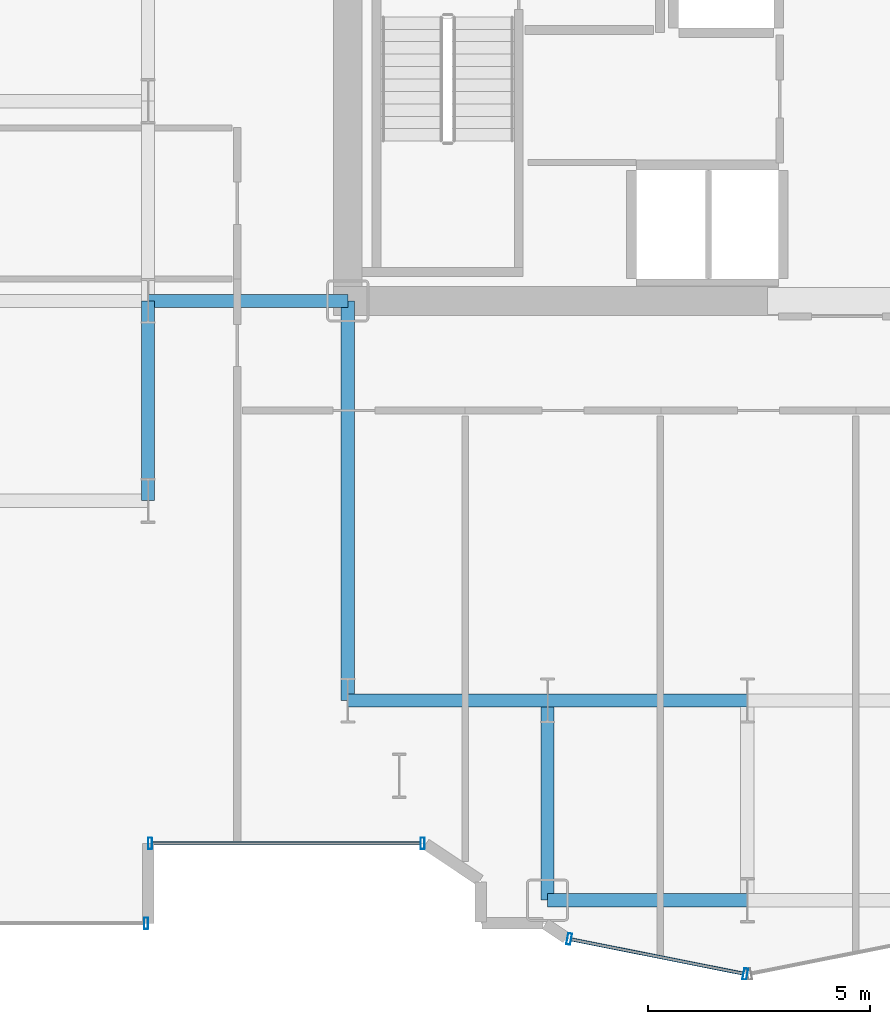
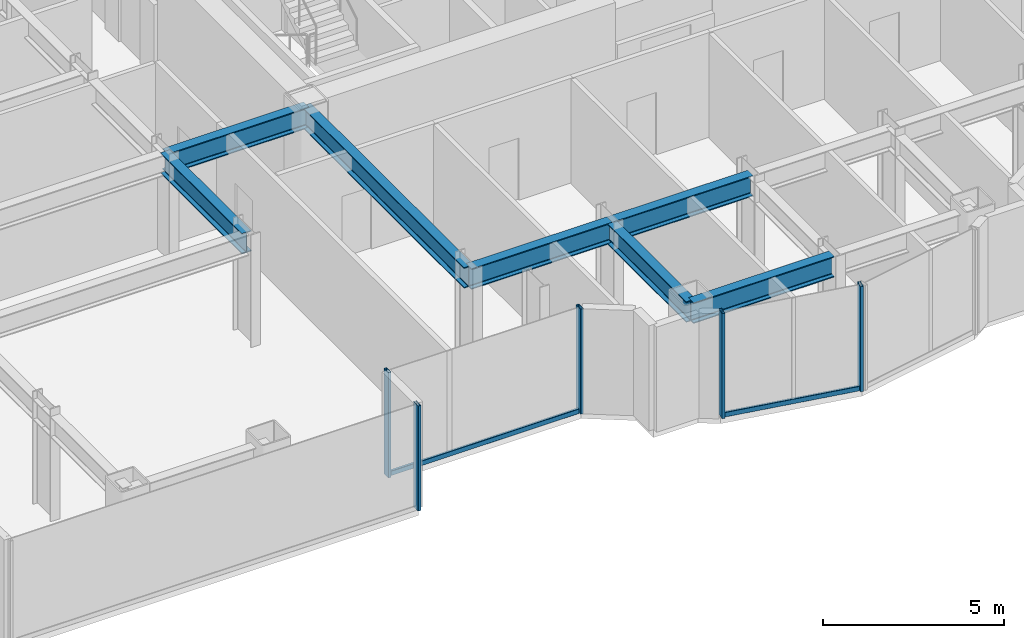
# One storey, part 4 of 25: 7 beams, 7 members, 3 elements without a shape of their own.
"""IFC4 building model written with IfcOpenShell, lengths in metres."""

from ifc_helpers import new_model, si_unit, direction, frame, origin, origin_2d, place, context, subcontext, project, spatial, hollow_rectangle, i_section, extrude, source, transform, mapped, material, layer, layer_set, material_profile, profile_set, type_object, element, aggregate, save


model = new_model("IFC4")

# Units and contexts
model_context = context("Model", 3, precision=1e-05, world=origin(), true_north=direction((0.0, 1.0)))
body_context = subcontext(model_context, "Body", "Model", "MODEL_VIEW")
ifc_project = project(units=[si_unit("LENGTHUNIT", "METRE"), si_unit("AREAUNIT", "SQUARE_METRE"), si_unit("VOLUMEUNIT", "CUBIC_METRE"), si_unit("PLANEANGLEUNIT", "RADIAN"), si_unit("MASSUNIT", "GRAM", prefix="KILO")], contexts=[model_context])

# Site, building, storey
site_placement = place(None, origin())
site = spatial("IfcSite", under=ifc_project, at=site_placement, CompositionType="ELEMENT")
building_placement = place(site_placement, origin())
building = spatial("IfcBuilding", under=site, at=building_placement, Name="Nefas-Gora Pilgrimage Tower", CompositionType="ELEMENT")
storey_placement = place(building_placement, frame((0.0, 0.0, 52.0)))
storey = spatial("IfcBuildingStorey", under=building, at=storey_placement, Name="L11", CompositionType="ELEMENT", Elevation=52.0)

# Beams
ifc_material_1 = material(Name="Steel S355", Category="steel")
ifc_material_profile_1 = material_profile(ifc_material_1, i_section(OverallWidth=0.300048828125, OverallDepth=0.699951171875, WebThickness=0.01708984375, FlangeThickness=0.031982421875, FilletRadius=0.027099609375, at=origin_2d()), Name="HEB 700")
ifc_profile_set_1 = profile_set([ifc_material_profile_1], Name="Steel S355")
beam_type = type_object("IfcBeamType", Name="BM-GIR-HEB700", PredefinedType="BEAM", material=ifc_profile_set_1)
shared_shape_1 = source(origin(), body_context, "Body", "SweptSolid", [
    extrude(i_section(OverallWidth=0.300048828125, OverallDepth=0.699951171875, WebThickness=0.01708984375, FlangeThickness=0.031982421875, FilletRadius=0.027099609375, at=origin_2d()), origin(), (0.0, 0.0, 1.0), 9.0),
])
beam_placement = place(storey_placement, frame((-11.25, -18.0, 3.199951171875), z_axis=(0.0, 1.0, 0.0), x_axis=(-1.0, 0.0, 0.0)))
element("IfcBeam", 1, at=beam_placement, inside=storey, type_object=beam_type, Name="L11 G-02 beam", PredefinedType="BEAM", context=body_context, shape_type="MappedRepresentation", body=[
    mapped(shared_shape_1, transform((0.0, 0.0, 0.0), x_axis=(1.0, 0.0, 0.0), y_axis=(0.0, 1.0, 0.0), z_axis=(0.0, 0.0, 1.0), scale=1.0)),
])
shared_shape_2 = source(origin(), body_context, "Body", "SweptSolid", [
    extrude(i_section(OverallWidth=0.300048828125, OverallDepth=0.699951171875, WebThickness=0.01708984375, FlangeThickness=0.031982421875, FilletRadius=0.027099609375, at=origin_2d()), origin(), (0.0, 0.0, 1.0), 4.5),
])
for number, where, z_axis, x_axis, name in (
    (2, (-15.75, -13.5, 3.199951171875), (0.0, 1.0, 0.0), (-1.0, 0.0, 0.0), "L11 G-02 beam"),
    (3, (-15.75, -9.0, 3.199951171875), (1.0, 0.0, 0.0), (0.0, 1.0, 0.0), "L11 G-02 beam"),
    (4, (-11.25, -18.0, 3.199951171875), (1.0, 0.0, 0.0), (0.0, 1.0, 0.0), "L11 G-02 beam"),
    (5, (-6.75, -22.5, 3.199951171875), (0.0, 1.0, 0.0), (-1.0, 0.0, 0.0), "L11 G-02 beam"),
    (6, (-6.75, -22.5, 3.199951171875), (1.0, 0.0, 0.0), (0.0, 1.0, 0.0), "L11 G-02 beam"),
    (7, (-6.75, -18.0, 3.199951171875), (1.0, 0.0, 0.0), (0.0, 1.0, 0.0), "L11 G-02 beam"),
):
    element("IfcBeam", number, at=place(storey_placement, frame(where, z_axis=z_axis, x_axis=x_axis)), inside=storey, type_object=beam_type, Name=name, PredefinedType="BEAM", context=body_context, shape_type="MappedRepresentation", body=[
        mapped(shared_shape_2, transform((0.0, 0.0, 0.0), x_axis=(1.0, 0.0, 0.0), y_axis=(0.0, 1.0, 0.0), z_axis=(0.0, 0.0, 1.0), scale=1.0)),
    ])

# Curtain wall, members
ifc_material_2 = material(Name="Dark ceramic-fritted solar-control aluminium-glass curtain wall", Category="aluminium")
ifc_layer_1 = layer(ifc_material_2, 0.219970703125)
ifc_layer_set_1 = layer_set([ifc_layer_1], Name="Dark ceramic-fritted solar-control aluminium-glass curtain wall")
curtain_wall_type_1 = type_object("IfcCurtainWallType", Name="CW-SYS-5", PredefinedType="NOTDEFINED", material=ifc_layer_set_1)
curtain_wall_1_placement = place(storey_placement, origin())
curtain_wall_1 = element("IfcCurtainWall", 8, at=curtain_wall_1_placement, inside=storey, type_object=curtain_wall_type_1, Name="L11 Unitised Curtain Wall CW5", PredefinedType="NOTDEFINED")
ifc_material_3 = material(Name="Anodised architectural aluminium", Category="aluminium")
ifc_material_profile_2 = material_profile(ifc_material_3, hollow_rectangle(XDim=0.090087890625, YDim=0.260009765625, WallThickness=0.006103515625, InnerFilletRadius=0.006103515625, OuterFilletRadius=0.011962890625, at=origin_2d()), Name="ALU MULLION 90x260")
ifc_profile_set_2 = profile_set([ifc_material_profile_2], Name="Anodised architectural aluminium")
member_type_1 = type_object("IfcMemberType", Name="CWM-MUL-5", PredefinedType="MULLION", material=ifc_profile_set_2)
shared_shape_3 = source(origin(), body_context, "Body", "SweptSolid", [
    extrude(hollow_rectangle(XDim=0.090087890625, YDim=0.260009765625, WallThickness=0.006103515625, InnerFilletRadius=0.006103515625, OuterFilletRadius=0.011962890625, at=origin_2d()), origin(), (0.0, 0.0, 1.0), 3.550048828125),
])
member_1_placement = place(storey_placement, frame((-15.705078125, -21.219970703125, 0.0), z_axis=(0.0, 0.0, 1.0), x_axis=(1.0, 0.0, 0.0)))
member_1 = element("IfcMember", 9, at=member_1_placement, type_object=member_type_1, Name="CW5 Mullion 1", PredefinedType="MULLION", context=body_context, shape_type="MappedRepresentation", body=[
    mapped(shared_shape_3, transform((0.0, 0.0, 0.0), x_axis=(1.0, 0.0, 0.0), y_axis=(0.0, 1.0, 0.0), z_axis=(0.0, 0.0, 1.0), scale=1.0)),
])
member_2_placement = place(storey_placement, frame((-9.56298828125, -21.219970703125, 0.0), z_axis=(0.0, 0.0, 1.0), x_axis=(1.0, 0.0, 0.0)))
member_2 = element("IfcMember", 10, at=member_2_placement, type_object=member_type_1, Name="CW5 Mullion 2", PredefinedType="MULLION", context=body_context, shape_type="MappedRepresentation", body=[
    mapped(shared_shape_3, transform((0.0, 0.0, 0.0), x_axis=(1.0, 0.0, 0.0), y_axis=(0.0, 1.0, 0.0), z_axis=(0.0, 0.0, 1.0), scale=1.0)),
])

curtain_wall_2_placement = place(storey_placement, origin())
curtain_wall_2 = element("IfcCurtainWall", 11, at=curtain_wall_2_placement, inside=storey, type_object=curtain_wall_type_1, Name="L11 Unitised Curtain Wall CW5", PredefinedType="NOTDEFINED")
member_3_placement = place(storey_placement, frame((-6.26318359375, -23.3740234375, 0.0), z_axis=(0.0, 0.0, 1.0), x_axis=(0.980782896852, -0.195102304554, 0.0)))
member_3 = element("IfcMember", 12, at=member_3_placement, type_object=member_type_1, Name="CW5 Mullion 1", PredefinedType="MULLION", context=body_context, shape_type="MappedRepresentation", body=[
    mapped(shared_shape_3, transform((0.0, 0.0, 0.0), x_axis=(1.0, 0.0, 0.0), y_axis=(0.0, 1.0, 0.0), z_axis=(0.0, 0.0, 1.0), scale=1.0)),
])
member_4_placement = place(storey_placement, frame((-2.294189453125, -24.16357421875, 0.0), z_axis=(0.0, 0.0, 1.0), x_axis=(0.980782896852, -0.195102304554, 0.0)))
member_4 = element("IfcMember", 13, at=member_4_placement, type_object=member_type_1, Name="CW5 Mullion 2", PredefinedType="MULLION", context=body_context, shape_type="MappedRepresentation", body=[
    mapped(shared_shape_3, transform((0.0, 0.0, 0.0), x_axis=(1.0, 0.0, 0.0), y_axis=(0.0, 1.0, 0.0), z_axis=(0.0, 0.0, 1.0), scale=1.0)),
])

# Member
ifc_material_profile_3 = material_profile(ifc_material_3, hollow_rectangle(XDim=0.080078125, YDim=0.159912109375, WallThickness=0.00439453125, InnerFilletRadius=0.00439453125, OuterFilletRadius=0.009033203125, at=origin_2d()), Name="ALU TRANSOM 80x160")
ifc_profile_set_3 = profile_set([ifc_material_profile_3], Name="Anodised architectural aluminium")
member_type_2 = type_object("IfcMemberType", Name="CWM-TRN-5", PredefinedType="USERDEFINED", material=ifc_profile_set_3)
shared_shape_4 = source(origin(), body_context, "Body", "SweptSolid", [
    extrude(hollow_rectangle(XDim=0.080078125, YDim=0.159912109375, WallThickness=0.00439453125, InnerFilletRadius=0.00439453125, OuterFilletRadius=0.009033203125, at=origin_2d()), origin(), (0.0, 0.0, 1.0), 6.052001953125),
])
member_5_placement = place(storey_placement, frame((-15.659912109375, -21.219970703125, 0.050048828125), z_axis=(1.0, 0.0, 0.0), x_axis=(0.0, 1.0, 0.0)))
member_5 = element("IfcMember", 14, at=member_5_placement, type_object=member_type_2, Name="CW5 Spandrel Transom", ObjectType="TRANSOM", PredefinedType="USERDEFINED", context=body_context, shape_type="MappedRepresentation", body=[
    mapped(shared_shape_4, transform((0.0, 0.0, 0.0), x_axis=(1.0, 0.0, 0.0), y_axis=(0.0, 1.0, 0.0), z_axis=(0.0, 0.0, 1.0), scale=1.0)),
])

aggregate(curtain_wall_1, [member_1, member_2, member_5])

# Curtain wall, member
ifc_layer_2 = layer(ifc_material_2, 0.219970703125)
ifc_layer_set_2 = layer_set([ifc_layer_2], Name="Dark ceramic-fritted solar-control aluminium-glass curtain wall")
curtain_wall_type_2 = type_object("IfcCurtainWallType", Name="CW-SYS-2", PredefinedType="NOTDEFINED", material=ifc_layer_set_2)
curtain_wall_3_placement = place(storey_placement, origin())
curtain_wall_3 = element("IfcCurtainWall", 15, at=curtain_wall_3_placement, inside=storey, type_object=curtain_wall_type_2, Name="L11 Unitised Curtain Wall CW2", PredefinedType="NOTDEFINED")
ifc_material_profile_4 = material_profile(ifc_material_3, hollow_rectangle(XDim=0.090087890625, YDim=0.260009765625, WallThickness=0.006103515625, InnerFilletRadius=0.006103515625, OuterFilletRadius=0.011962890625, at=origin_2d()), Name="ALU MULLION 90x260")
ifc_profile_set_4 = profile_set([ifc_material_profile_4], Name="Anodised architectural aluminium")
member_type_3 = type_object("IfcMemberType", Name="CWM-MUL-2", PredefinedType="MULLION", material=ifc_profile_set_4)
shared_shape_5 = source(origin(), body_context, "Body", "SweptSolid", [
    extrude(hollow_rectangle(XDim=0.090087890625, YDim=0.260009765625, WallThickness=0.006103515625, InnerFilletRadius=0.006103515625, OuterFilletRadius=0.011962890625, at=origin_2d()), origin(), (0.0, 0.0, 1.0), 3.550048828125),
])
member_6_placement = place(storey_placement, frame((-15.794921875, -23.02001953125, 0.0), z_axis=(0.0, 0.0, 1.0), x_axis=(1.0, 0.0, 0.0)))
member_6 = element("IfcMember", 16, at=member_6_placement, type_object=member_type_3, Name="CW2 Mullion 2", PredefinedType="MULLION", context=body_context, shape_type="MappedRepresentation", body=[
    mapped(shared_shape_5, transform((0.0, 0.0, 0.0), x_axis=(1.0, 0.0, 0.0), y_axis=(0.0, 1.0, 0.0), z_axis=(0.0, 0.0, 1.0), scale=1.0)),
])
aggregate(curtain_wall_3, [member_6])

# Member
shared_shape_6 = source(origin(), body_context, "Body", "SweptSolid", [
    extrude(hollow_rectangle(XDim=0.080078125, YDim=0.159912109375, WallThickness=0.00439453125, InnerFilletRadius=0.00439453125, OuterFilletRadius=0.009033203125, at=origin_2d()), origin(), (0.0, 0.0, 1.0), 3.95654296875),
])
member_7_placement = place(storey_placement, frame((-6.218994140625, -23.3828125, 0.050048828125), z_axis=(0.980781880918, -0.195107411605, 0.0), x_axis=(0.195107411605, 0.980781880918, 0.0)))
member_7 = element("IfcMember", 17, at=member_7_placement, type_object=member_type_2, Name="CW5 Spandrel Transom", ObjectType="TRANSOM", PredefinedType="USERDEFINED", context=body_context, shape_type="MappedRepresentation", body=[
    mapped(shared_shape_6, transform((0.0, 0.0, 0.0), x_axis=(1.0, 0.0, 0.0), y_axis=(0.0, 1.0, 0.0), z_axis=(0.0, 0.0, 1.0), scale=1.0)),
])

aggregate(curtain_wall_2, [member_3, member_4, member_7])

save(model, "model.ifc")
